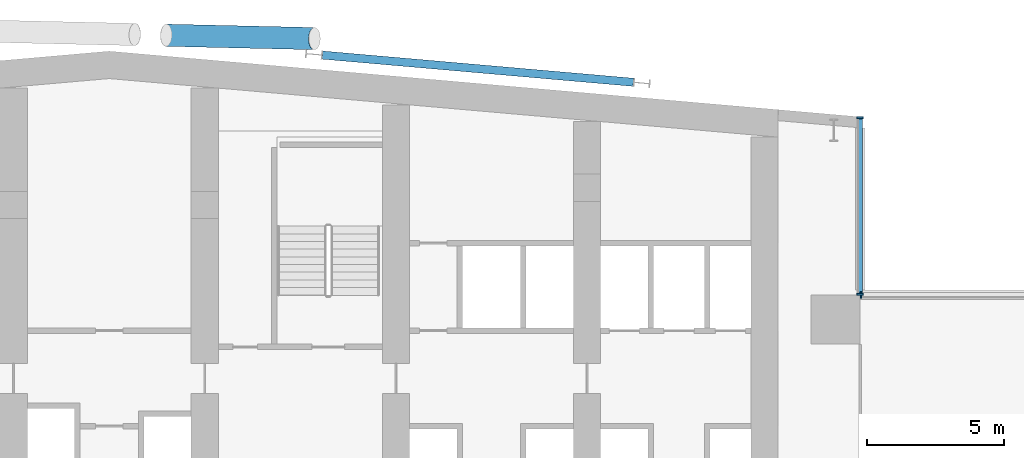
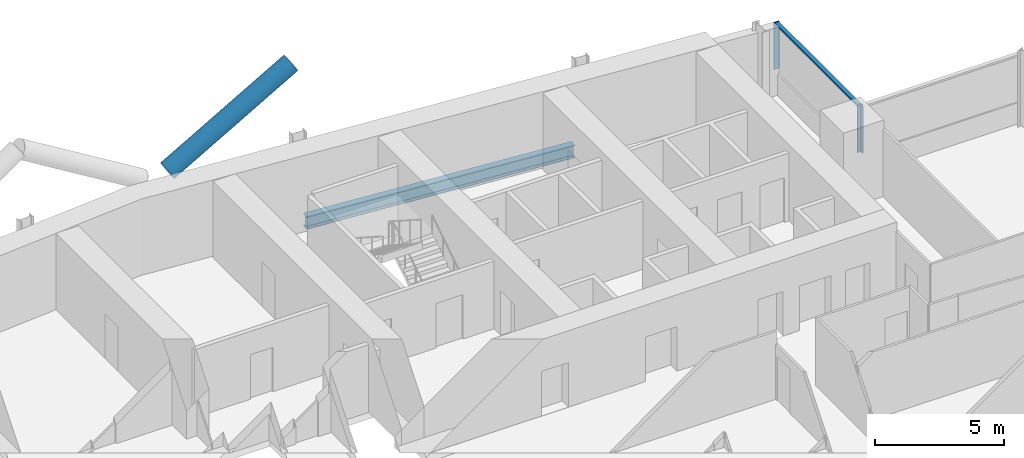
# One storey, part 9 of 27: 5 members, 1 beam, 2 elements without a shape of their own.
"""IFC4 building model written with IfcOpenShell, lengths in metres."""

import ifcopenshell
import ifcopenshell.guid

model = None  # the IFC model being written
_history = None  # IfcOwnerHistory: only IFC2X3 demands one
_inside = {}  # id of a spatial element -> (the spatial element, [elements in it])
_under = {}  # id of a project, library or spatial element -> (it, [spatial elements below it])
_declared = {}  # id of a project -> (the project, [libraries it declares])
_typed = {}  # id of a type object -> (the type object, [elements of that type])
_made_of = {}  # id of a material, layer set ... -> (it, [elements and type objects made of it])


def new_model(schema):
    """Start an empty IFC model of exactly this schema.

    Asked for "IFC4X3", IfcOpenShell would pick the latest addendum, in which some entities
    have other attributes; the version numbers below select the first issue.
    IFC2X3 requires an IfcOwnerHistory on every rooted entity: one is made here for all.
    """
    global model, _history
    if schema == "IFC4X3":
        model = ifcopenshell.file(schema_version=(4, 3, 0, 0))
    else:
        model = ifcopenshell.file(schema=schema)
    _inside.clear()
    _under.clear()
    _declared.clear()
    _typed.clear()
    _made_of.clear()
    _history = None
    if model.schema == "IFC2X3":
        org = make("IfcOrganization", Name="unknown")
        user = make(
            "IfcPersonAndOrganization",
            ThePerson=make("IfcPerson", FamilyName="unknown"),
            TheOrganization=org,
        )
        app = make(
            "IfcApplication",
            ApplicationDeveloper=org,
            Version="unknown",
            ApplicationFullName="unknown",
            ApplicationIdentifier="unknown",
        )
        _history = make(
            "IfcOwnerHistory",
            OwningUser=user,
            OwningApplication=app,
            ChangeAction="ADDED",
            CreationDate=0,
        )
    return model


def make(cls, **values):
    """One entity of the class cls with the attributes given. An attribute that is None is left unset."""
    return model.create_entity(
        cls, **{name: value for name, value in values.items() if value is not None}
    )


def rooted(cls, **values):
    """An entity with a GlobalId (a new one), such as an element, a storey or a relation."""
    return make(cls, GlobalId=ifcopenshell.guid.new(), OwnerHistory=_history, **values)


def si_unit(unit_type, name, prefix=None):
    """IfcSIUnit, for example si_unit("LENGTHUNIT", "METRE", prefix="MILLI")."""
    return make("IfcSIUnit", UnitType=unit_type, Prefix=prefix, Name=name)


def assignment(units):
    """IfcUnitAssignment: the units of a project."""
    return None if units is None else make("IfcUnitAssignment", Units=units)


def point(xyz):
    """IfcCartesianPoint."""
    return None if xyz is None else make("IfcCartesianPoint", Coordinates=xyz)


def direction(xyz):
    """IfcDirection."""
    return None if xyz is None else make("IfcDirection", DirectionRatios=xyz)


def frame(location, z_axis=None, x_axis=None):
    """IfcAxis2Placement3D, a coordinate frame: its origin and axes. An axis left out is left unset."""
    return make(
        "IfcAxis2Placement3D",
        Location=point(location),
        Axis=direction(z_axis),
        RefDirection=direction(x_axis),
    )


def frame_2d(location, x_axis=None):
    """IfcAxis2Placement2D, a coordinate frame in the plane: its origin and x axis."""
    return make(
        "IfcAxis2Placement2D", Location=point(location), RefDirection=direction(x_axis)
    )


def origin():
    """The frame at (0, 0, 0) with its axes left unset."""
    return frame((0.0, 0.0, 0.0))


def origin_2d():
    """The frame at (0, 0) in the plane with its x axis left unset."""
    return frame_2d((0.0, 0.0))


def place(relative_to, where):
    """IfcLocalPlacement: puts the frame where relative to a parent placement (None: the world)."""
    return make(
        "IfcLocalPlacement", PlacementRelTo=relative_to, RelativePlacement=where
    )


def context(
    kind, dimensions, precision=None, world=None, true_north=None, identifier=None
):
    """IfcGeometricRepresentationContext, for example the 3D "Model" context."""
    return make(
        "IfcGeometricRepresentationContext",
        ContextIdentifier=identifier,
        ContextType=kind,
        CoordinateSpaceDimension=dimensions,
        Precision=precision,
        WorldCoordinateSystem=world,
        TrueNorth=true_north,
    )


def subcontext(parent, identifier, kind, view, scale=None):
    """IfcGeometricRepresentationSubContext, for example "Body" below "Model"."""
    return make(
        "IfcGeometricRepresentationSubContext",
        ContextIdentifier=identifier,
        ContextType=kind,
        ParentContext=parent,
        TargetScale=scale,
        TargetView=view,
    )


def project(units=None, contexts=None):
    """IfcProject with its units and contexts."""
    return rooted(
        "IfcProject",
        Name="project",
        RepresentationContexts=contexts,
        UnitsInContext=assignment(units),
    )


def spatial(cls, under=None, at=None, **own):
    """A site, building, storey or space (cls), placed at a placement, below another one or the project."""
    s = rooted(cls, ObjectPlacement=at, **own)
    if under is not None:
        _under.setdefault(under.id(), (under, []))[1].append(s)
    return s


def profile(cls, at=None, kind="AREA", **sizes):
    """A parametric profile (cls). Its sizes go by their IFC names, for example OverallWidth=200.0."""
    return make(cls, ProfileType=kind, Position=at, **sizes)


def rectangle(**sizes):
    """IfcRectangleProfileDef."""
    return profile("IfcRectangleProfileDef", **sizes)


def hollow_circle(**sizes):
    """IfcCircleHollowProfileDef."""
    return profile("IfcCircleHollowProfileDef", **sizes)


def i_section(**sizes):
    """IfcIShapeProfileDef."""
    return profile("IfcIShapeProfileDef", **sizes)


def extrude(swept, where, along, depth):
    """IfcExtrudedAreaSolid: the profile swept, set in the frame where, extruded along a direction by depth."""
    return make(
        "IfcExtrudedAreaSolid",
        SweptArea=swept,
        Position=where,
        ExtrudedDirection=direction(along),
        Depth=depth,
    )


def shape(context_of_items, identifier, shape_type, items):
    """IfcShapeRepresentation: the items that make up one representation, for example the "Body"."""
    return make(
        "IfcShapeRepresentation",
        ContextOfItems=context_of_items,
        RepresentationIdentifier=identifier,
        RepresentationType=shape_type,
        Items=items,
    )


def material(Name=None, Category=None):
    """IfcMaterial."""
    return make("IfcMaterial", Name=Name, Category=Category)


def material_profile(
    of_material, cross_section, Name=None, Category=None, Priority=None
):
    """IfcMaterialProfile: a cross section and its material."""
    return make(
        "IfcMaterialProfile",
        Name=Name,
        Material=of_material,
        Profile=cross_section,
        Priority=Priority,
        Category=Category,
    )


def profile_set(profiles, Name=None, composite=None):
    """IfcMaterialProfileSet."""
    return make(
        "IfcMaterialProfileSet",
        Name=Name,
        MaterialProfiles=profiles,
        CompositeProfile=composite,
    )


def made_of(thing, what):
    """Note that an element or type object is made of a material, layer set ...; save() writes the relation."""
    if what is not None:
        _made_of.setdefault(what.id(), (what, []))[1].append(thing)
    return thing


def type_object(cls, material=None, **own):
    """A type object (cls), such as IfcWallType, which elements share."""
    return made_of(rooted(cls, **own), material)


def element(
    cls,
    number,
    at=None,
    inside=None,
    cuts=None,
    type_object=None,
    material=None,
    context=None,
    identifier="Body",
    shape_type=None,
    held_by="IfcProductDefinitionShape",
    body=None,
    shapes=None,
    **own,
):
    """One element of the class cls, such as IfcWall. Its Tag is "e" and its number.

    at: its placement. inside: the storey or other place that contains it. cuts: it is an
    opening in that element (IfcRelVoidsElement). A single representation is given by context,
    identifier, shape_type and body (its items); several are given by shapes. held_by: the class
    of the entity that holds the representations. save() writes the other relations.
    """
    e = rooted(cls, Tag="e%d" % number, ObjectPlacement=at, **own)
    if body is not None:
        shapes = [shape(context, identifier, shape_type, body)]
    if shapes is not None:
        e.Representation = make(held_by, Representations=shapes)
    if inside is not None:
        _inside.setdefault(inside.id(), (inside, []))[1].append(e)
    if cuts is not None:
        rooted(
            "IfcRelVoidsElement", RelatingBuildingElement=cuts, RelatedOpeningElement=e
        )
    if type_object is not None:
        _typed.setdefault(type_object.id(), (type_object, []))[1].append(e)
    return made_of(e, material)


def aggregate(whole, parts):
    """IfcRelAggregates: a whole, such as a stair, and the parts it consists of."""
    return rooted("IfcRelAggregates", RelatingObject=whole, RelatedObjects=parts)


def save(model, path):
    """Write the relations noted so far, then the file.

    IfcRelAggregates (storeys below a building ...), IfcRelContainedInSpatialStructure (elements
    in a storey), IfcRelDefinesByType, IfcRelAssociatesMaterial and IfcRelDeclares: one each for
    every whole, place, type object, material and project.
    """
    for whole, parts in _under.values():
        aggregate(whole, parts)
    for where, things in _inside.values():
        rooted(
            "IfcRelContainedInSpatialStructure",
            RelatedElements=things,
            RelatingStructure=where,
        )
    for kind, things in _typed.values():
        rooted("IfcRelDefinesByType", RelatedObjects=things, RelatingType=kind)
    for what, things in _made_of.values():
        rooted("IfcRelAssociatesMaterial", RelatedObjects=things, RelatingMaterial=what)
    for by, libraries in _declared.values():
        rooted("IfcRelDeclares", RelatingContext=by, RelatedDefinitions=libraries)
    model.write(path)


model = new_model("IFC4")

# Units and contexts
model_context = context("Model", 3, precision=1e-05, world=origin(), true_north=direction((0.0, 1.0)))
body_context = subcontext(model_context, "Body", "Model", "MODEL_VIEW")
ifc_project = project(units=[si_unit("LENGTHUNIT", "METRE"), si_unit("AREAUNIT", "SQUARE_METRE"), si_unit("VOLUMEUNIT", "CUBIC_METRE"), si_unit("PLANEANGLEUNIT", "RADIAN"), si_unit("MASSUNIT", "GRAM", prefix="KILO")], contexts=[model_context])

# Site, building, storey
site_placement = place(None, origin())
site = spatial("IfcSite", under=ifc_project, at=site_placement, CompositionType="ELEMENT")
building_placement = place(site_placement, origin())
building = spatial("IfcBuilding", under=site, at=building_placement, Name="Wharfspan Tower", CompositionType="ELEMENT")
storey_placement = place(building_placement, frame((0.0, 0.0, 111.100098)))
storey = spatial("IfcBuildingStorey", under=building, at=storey_placement, Name="L25", CompositionType="ELEMENT", Elevation=111.100098)

# Beam
ifc_material_1 = material(Name="Steel S355J2", Category="steel")
ifc_material_profile_1 = material_profile(ifc_material_1, i_section(OverallWidth=0.300049, OverallDepth=0.600098, WebThickness=0.015381, FlangeThickness=0.030029, FilletRadius=0.0271, at=origin_2d()))
ifc_profile_set_1 = profile_set([ifc_material_profile_1], Name="Steel S355J2")
beam_type = type_object("IfcBeamType", Name="Edge beam HEB 600", PredefinedType="SPANDREL", material=ifc_profile_set_1)
beam_placement = place(storey_placement, frame((59.695068, 49.791504, -0.700195), z_axis=(-0.996194, 0.087162, 0.0), x_axis=(-0.087162, -0.996194, 0.0)))
element("IfcBeam", 1, at=beam_placement, inside=storey, type_object=beam_type, Name="Edge beam N2 L25 R.4 to R.3", PredefinedType="SPANDREL", context=body_context, shape_type="SweptSolid", body=[
    extrude(i_section(OverallWidth=0.300049, OverallDepth=0.600098, WebThickness=0.015381, FlangeThickness=0.030029, FilletRadius=0.0271, at=origin_2d()), origin(), (0.0, 0.0, 1.0), 11.433594),
])

# Curtain wall, member
ifc_material_2 = material(Name="Aluminium 6063-T6", Category="aluminium")
curtain_wall_type = type_object("IfcCurtainWallType", Name="CURTAIN WALL PROW AND END", PredefinedType="NOTDEFINED", material=ifc_material_2)
curtain_wall_1_placement = place(storey_placement, origin())
curtain_wall_1 = element("IfcCurtainWall", 2, at=curtain_wall_1_placement, inside=storey, type_object=curtain_wall_type, Name="Curtain wall NRE-H", PredefinedType="NOTDEFINED")
ifc_material_profile_2 = material_profile(ifc_material_2, rectangle(XDim=0.23999, YDim=0.060059, at=origin_2d()))
ifc_profile_set_2 = profile_set([ifc_material_profile_2], Name="Aluminium 6063-T6")
member_type_1 = type_object("IfcMemberType", Name="MULLION PROW AND END 60x240", PredefinedType="MULLION", material=ifc_profile_set_2)
member_1_placement = place(storey_placement, frame((68.030029, 42.0, 1.0), z_axis=(0.0, 0.0, 1.0), x_axis=(0.0, -1.0, 0.0)))
member_1 = element("IfcMember", 3, at=member_1_placement, type_object=member_type_1, Name="Curtain wall NRE-H mullion 2", PredefinedType="MULLION", context=body_context, shape_type="SweptSolid", body=[
    extrude(rectangle(XDim=0.23999, YDim=0.060059, at=origin_2d()), origin(), (0.0, 0.0, 1.0), 2.199951),
])
aggregate(curtain_wall_1, [member_1])

# Curtain wall, members
curtain_wall_2_placement = place(storey_placement, origin())
curtain_wall_2 = element("IfcCurtainWall", 4, at=curtain_wall_2_placement, inside=storey, type_object=curtain_wall_type, Name="Curtain wall NRE-V", PredefinedType="NOTDEFINED")
member_2_placement = place(storey_placement, frame((68.0, 42.030029, 1.0), z_axis=(0.0, 0.0, 1.0), x_axis=(-1.0, 0.0, 0.0)))
member_2 = element("IfcMember", 5, at=member_2_placement, type_object=member_type_1, Name="Curtain wall NRE-V mullion 1", PredefinedType="MULLION", context=body_context, shape_type="SweptSolid", body=[
    extrude(rectangle(XDim=0.23999, YDim=0.060059, at=origin_2d()), origin(), (0.0, 0.0, 1.0), 2.199951),
])
member_3_placement = place(storey_placement, frame((68.0, 48.494873, 1.0), z_axis=(0.0, 0.0, 1.0), x_axis=(-1.0, 0.0, 0.0)))
member_3 = element("IfcMember", 6, at=member_3_placement, type_object=member_type_1, Name="Curtain wall NRE-V mullion 2", PredefinedType="MULLION", context=body_context, shape_type="SweptSolid", body=[
    extrude(rectangle(XDim=0.23999, YDim=0.060059, at=origin_2d()), origin(), (0.0, 0.0, 1.0), 2.199951),
])

# Member
ifc_material_3 = material(Name="Steel S460NH", Category="steel")
ifc_material_profile_3 = material_profile(ifc_material_3, hollow_circle(Radius=0.406494, WallThickness=0.040039, at=origin_2d()))
ifc_profile_set_3 = profile_set([ifc_material_profile_3], Name="Steel S460NH")
member_type_2 = type_object("IfcMemberType", Name="Mega brace CHS 813x40", PredefinedType="BRACE", material=ifc_profile_set_3)
member_4_placement = place(storey_placement, frame((42.590332, 51.514893, 3.246582), z_axis=(0.857327, -0.019686, 0.514396), x_axis=(0.022956, 0.999736, 0.0)))
element("IfcMember", 7, at=member_4_placement, inside=storey, type_object=member_type_2, Name="Mega brace N7 L25 part 2", PredefinedType="BRACE", context=body_context, shape_type="SweptSolid", body=[
    extrude(hollow_circle(Radius=0.406494, WallThickness=0.040039, at=origin_2d()), origin(), (0.0, 0.0, 1.0), 6.324707),
])

ifc_material_profile_4 = material_profile(ifc_material_2, rectangle(XDim=0.179932, YDim=0.080078, at=origin_2d()))
ifc_profile_set_4 = profile_set([ifc_material_profile_4], Name="Aluminium 6063-T6")
member_type_3 = type_object("IfcMemberType", Name="TRANSOM PROW AND END 80x180", PredefinedType="USERDEFINED", material=ifc_profile_set_4)
member_5_placement = place(storey_placement, frame((68.0, 42.060059, 3.159912), z_axis=(0.0, 1.0, 0.0), x_axis=(-1.0, 0.0, 0.0)))
member_5 = element("IfcMember", 8, at=member_5_placement, type_object=member_type_3, Name="Curtain wall NRE-V transom 1", ObjectType="TRANSOM", PredefinedType="USERDEFINED", context=body_context, shape_type="SweptSolid", body=[
    extrude(rectangle(XDim=0.179932, YDim=0.080078, at=origin_2d()), origin(), (0.0, 0.0, 1.0), 6.404785),
])

aggregate(curtain_wall_2, [member_2, member_3, member_5])

save(model, "model.ifc")
